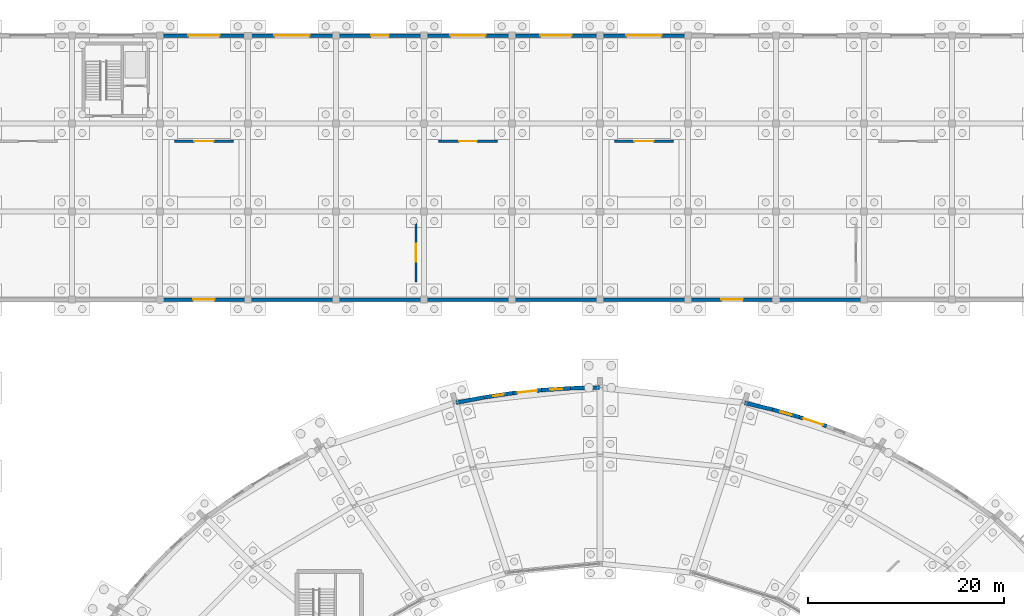
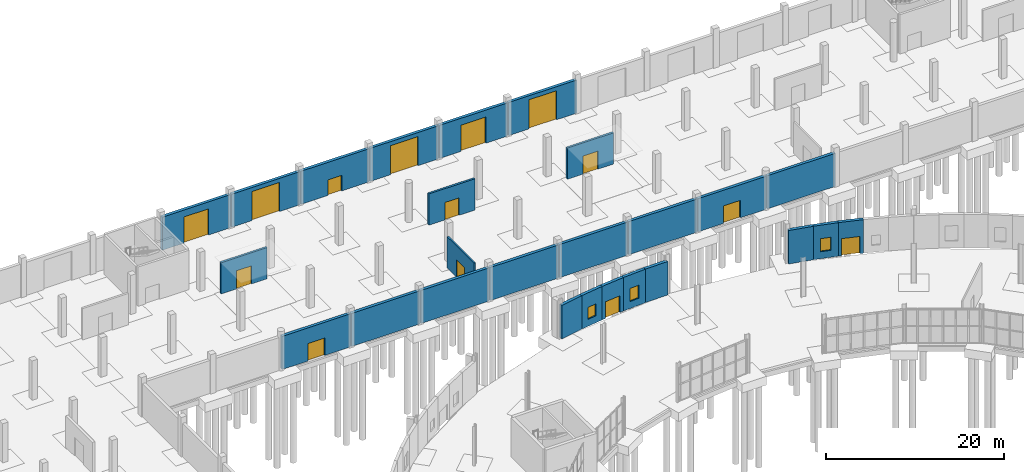
# One storey, part 98 of 118: 26 walls, 14 doors, 3 windows, 17 openings.
"""IFC4 building model written with IfcOpenShell, lengths in metres."""

from ifc_helpers import new_model, si_unit, direction, frame, frame_2d, origin, place, context, subcontext, project, spatial, rectangle, extrude, material, layer, layer_set, type_object, element, fill, save


model = new_model("IFC4")

# Units and contexts
model_context = context("Model", 3, precision=1e-05, world=origin(), true_north=direction((0.0, 1.0)))
body_context = subcontext(model_context, "Body", "Model", "MODEL_VIEW")
ifc_project = project(units=[si_unit("LENGTHUNIT", "METRE"), si_unit("AREAUNIT", "SQUARE_METRE"), si_unit("VOLUMEUNIT", "CUBIC_METRE"), si_unit("PLANEANGLEUNIT", "RADIAN"), si_unit("MASSUNIT", "GRAM", prefix="KILO")], contexts=[model_context])

# Site, building, storey
site_placement = place(None, origin())
site = spatial("IfcSite", under=ifc_project, at=site_placement, CompositionType="ELEMENT")
building_placement = place(site_placement, origin())
building = spatial("IfcBuilding", under=site, at=building_placement, Name="Kildeholm Park Wholesale Market", CompositionType="ELEMENT")
storey_placement = place(building_placement, origin())
storey = spatial("IfcBuildingStorey", under=building, at=storey_placement, Name="L00", CompositionType="ELEMENT", Elevation=0.0)

# Wall, opening, door
ifc_material_1 = material(Name="Precast concrete C40/50 insulated cold-store envelope wall", Category="concrete")
ifc_layer_1 = layer(ifc_material_1, 0.3798828125)
ifc_layer_set_1 = layer_set([ifc_layer_1], Name="Precast concrete C40/50 insulated cold-store envelope wall")
wall_type_1 = type_object("IfcWallType", Name="Exterior wall W-CS1 380 mm", PredefinedType="SOLIDWALL", material=ifc_layer_set_1)
wall_1_placement = place(storey_placement, frame((54.06005859375, 171.0, 0.0), z_axis=(0.0, 0.0, 1.0), x_axis=(1.0, 0.0, 0.0)))
wall_1 = element("IfcWall", 1, at=wall_1_placement, inside=storey, type_object=wall_type_1, Name="Exterior wall V4N-L00.7 WL-0323", PredefinedType="SOLIDWALL", context=body_context, shape_type="SweptSolid", body=[
    extrude(rectangle(XDim=8.8798828125, YDim=0.3798828125, at=frame_2d((4.43994140625, 0.0))), origin(), (0.0, 0.0, 1.0), 4.550048828125),
])
opening_1_placement = place(wall_1_placement, frame((2.840087890625, 0.0, 0.0)))
opening_1 = element("IfcOpeningElement", 2, at=opening_1_placement, cuts=wall_1, Name="Opening G-DK04", PredefinedType="OPENING", context=body_context, shape_type="SweptSolid", body=[
    extrude(rectangle(XDim=3.199951171875, YDim=3.60009765625, at=frame_2d((1.60009765625, 1.800048828125))), frame((0.0, 0.199951171875, 0.0), z_axis=(0.0, -1.0, 0.0), x_axis=(1.0, 0.0, 0.0)), (0.0, 0.0, 1.0), 0.39990234375),
])
ifc_material_2 = material(Name="Insulated galvanized steel cold-bay shutter", Category="steel")
door_type_1 = type_object("IfcDoorType", Name="Exterior gate G-DK04 3200x3600", OperationType="NOTDEFINED", PredefinedType="GATE", material=ifc_material_2)
door_1_placement = place(opening_1_placement, origin())
door_1 = element("IfcDoor", 3, at=door_1_placement, inside=storey, type_object=door_type_1, Name="Door V4N-L00.7 DR-0022 WL-0323", OperationType="ROLLINGUP", OverallHeight=3.60009765625, OverallWidth=3.199951171875, PredefinedType="GATE", context=body_context, shape_type="SweptSolid", body=[
    extrude(rectangle(XDim=3.199951171875, YDim=3.60009765625, at=frame_2d((1.60009765625, 1.800048828125))), frame((0.0, 0.02490234375, 0.0), z_axis=(0.0, -1.0, 0.0), x_axis=(1.0, 0.0, 0.0)), (0.0, 0.0, 1.0), 0.050048828125),
])
fill(opening_1, door_1)

wall_2_placement = place(storey_placement, frame((63.06005859375, 171.0, 0.0), z_axis=(0.0, 0.0, 1.0), x_axis=(1.0, 0.0, 0.0)))
wall_2 = element("IfcWall", 4, at=wall_2_placement, inside=storey, type_object=wall_type_1, Name="Exterior wall V4N-L00.8 WL-0324", PredefinedType="SOLIDWALL", context=body_context, shape_type="SweptSolid", body=[
    extrude(rectangle(XDim=8.8798828125, YDim=0.3798828125, at=frame_2d((4.43994140625, 0.0))), origin(), (0.0, 0.0, 1.0), 4.550048828125),
])
opening_2_placement = place(wall_2_placement, frame((2.639892578125, 0.0, 0.0)))
opening_2 = element("IfcOpeningElement", 5, at=opening_2_placement, cuts=wall_2, Name="Opening G-DK02", PredefinedType="OPENING", context=body_context, shape_type="SweptSolid", body=[
    extrude(rectangle(XDim=3.60009765625, YDim=4.0, at=frame_2d((1.800048828125, 2.0))), frame((0.0, 0.199951171875, 0.0), z_axis=(0.0, -1.0, 0.0), x_axis=(1.0, 0.0, 0.0)), (0.0, 0.0, 1.0), 0.39990234375),
])
ifc_material_3 = material(Name="Insulated galvanized steel HGV dock roller shutter", Category="steel")
door_type_2 = type_object("IfcDoorType", Name="Exterior gate G-DK02 3600x4000", OperationType="NOTDEFINED", PredefinedType="GATE", material=ifc_material_3)
door_2_placement = place(opening_2_placement, origin())
door_2 = element("IfcDoor", 6, at=door_2_placement, inside=storey, type_object=door_type_2, Name="Door V4N-L00.8 DR-0023 WL-0324", OperationType="ROLLINGUP", OverallHeight=4.0, OverallWidth=3.60009765625, PredefinedType="GATE", context=body_context, shape_type="SweptSolid", body=[
    extrude(rectangle(XDim=3.60009765625, YDim=4.0, at=frame_2d((1.800048828125, 2.0))), frame((0.0, 0.02490234375, 0.0), z_axis=(0.0, -1.0, 0.0), x_axis=(1.0, 0.0, 0.0)), (0.0, 0.0, 1.0), 0.050048828125),
])
fill(opening_2, door_2)

wall_3_placement = place(storey_placement, frame((72.06005859375, 171.0, 0.0), z_axis=(0.0, 0.0, 1.0), x_axis=(1.0, 0.0, 0.0)))
wall_3 = element("IfcWall", 7, at=wall_3_placement, inside=storey, type_object=wall_type_1, Name="Exterior wall V4N-L00.9 WL-0325", PredefinedType="SOLIDWALL", context=body_context, shape_type="SweptSolid", body=[
    extrude(rectangle(XDim=8.8798828125, YDim=0.3798828125, at=frame_2d((4.43994140625, 0.0))), origin(), (0.0, 0.0, 1.0), 4.550048828125),
])
opening_3_placement = place(wall_3_placement, frame((3.5400390625, 0.0, 0.0)))
opening_3 = element("IfcOpeningElement", 8, at=opening_3_placement, cuts=wall_3, Name="Opening D-EX05", PredefinedType="OPENING", context=body_context, shape_type="SweptSolid", body=[
    extrude(rectangle(XDim=1.800048828125, YDim=2.14990234375, at=frame_2d((0.89990234375, 1.074951171875))), frame((0.0, 0.199951171875, 0.0), z_axis=(0.0, -1.0, 0.0), x_axis=(1.0, 0.0, 0.0)), (0.0, 0.0, 1.0), 0.39990234375),
])
ifc_material_4 = material(Name="Painted galvanized steel escape doorset", Category="steel")
door_type_3 = type_object("IfcDoorType", Name="Exterior door D-EX05 1800x2150", OperationType="NOTDEFINED", PredefinedType="DOOR", material=ifc_material_4)
door_3_placement = place(opening_3_placement, origin())
door_3 = element("IfcDoor", 9, at=door_3_placement, inside=storey, type_object=door_type_3, Name="Door V4N-L00.9 DR-0024 WL-0325", OperationType="DOUBLE_DOOR_SINGLE_SWING", OverallHeight=2.14990234375, OverallWidth=1.800048828125, PredefinedType="DOOR", context=body_context, shape_type="SweptSolid", body=[
    extrude(rectangle(XDim=1.800048828125, YDim=2.14990234375, at=frame_2d((0.89990234375, 1.074951171875))), frame((0.0, 0.02490234375, 0.0), z_axis=(0.0, -1.0, 0.0), x_axis=(1.0, 0.0, 0.0)), (0.0, 0.0, 1.0), 0.050048828125),
])
fill(opening_3, door_3)

wall_4_placement = place(storey_placement, frame((81.06005859375, 171.0, 0.0), z_axis=(0.0, 0.0, 1.0), x_axis=(1.0, 0.0, 0.0)))
wall_4 = element("IfcWall", 10, at=wall_4_placement, inside=storey, type_object=wall_type_1, Name="Exterior wall V4N-L00.10 WL-0326", PredefinedType="SOLIDWALL", context=body_context, shape_type="SweptSolid", body=[
    extrude(rectangle(XDim=8.8798828125, YDim=0.3798828125, at=frame_2d((4.43994140625, 0.0))), origin(), (0.0, 0.0, 1.0), 4.550048828125),
])
opening_4_placement = place(wall_4_placement, frame((2.639892578125, 0.0, 0.0)))
opening_4 = element("IfcOpeningElement", 11, at=opening_4_placement, cuts=wall_4, Name="Opening G-DK02", PredefinedType="OPENING", context=body_context, shape_type="SweptSolid", body=[
    extrude(rectangle(XDim=3.60009765625, YDim=4.0, at=frame_2d((1.800048828125, 2.0))), frame((0.0, 0.199951171875, 0.0), z_axis=(0.0, -1.0, 0.0), x_axis=(1.0, 0.0, 0.0)), (0.0, 0.0, 1.0), 0.39990234375),
])
door_4_placement = place(opening_4_placement, origin())
door_4 = element("IfcDoor", 12, at=door_4_placement, inside=storey, type_object=door_type_2, Name="Door V4N-L00.10 DR-0025 WL-0326", OperationType="ROLLINGUP", OverallHeight=4.0, OverallWidth=3.60009765625, PredefinedType="GATE", context=body_context, shape_type="SweptSolid", body=[
    extrude(rectangle(XDim=3.60009765625, YDim=4.0, at=frame_2d((1.800048828125, 2.0))), frame((0.0, 0.02490234375, 0.0), z_axis=(0.0, -1.0, 0.0), x_axis=(1.0, 0.0, 0.0)), (0.0, 0.0, 1.0), 0.050048828125),
])
fill(opening_4, door_4)

wall_5_placement = place(storey_placement, frame((90.06005859375, 171.0, 0.0), z_axis=(0.0, 0.0, 1.0), x_axis=(1.0, 0.0, 0.0)))
wall_5 = element("IfcWall", 13, at=wall_5_placement, inside=storey, type_object=wall_type_1, Name="Exterior wall V4N-L00.11 WL-0327", PredefinedType="SOLIDWALL", context=body_context, shape_type="SweptSolid", body=[
    extrude(rectangle(XDim=8.8798828125, YDim=0.3798828125, at=frame_2d((4.43994140625, 0.0))), origin(), (0.0, 0.0, 1.0), 4.550048828125),
])
opening_5_placement = place(wall_5_placement, frame((2.840087890625, 0.0, 0.0)))
opening_5 = element("IfcOpeningElement", 14, at=opening_5_placement, cuts=wall_5, Name="Opening G-DK04", PredefinedType="OPENING", context=body_context, shape_type="SweptSolid", body=[
    extrude(rectangle(XDim=3.199951171875, YDim=3.60009765625, at=frame_2d((1.60009765625, 1.800048828125))), frame((0.0, 0.199951171875, 0.0), z_axis=(0.0, -1.0, 0.0), x_axis=(1.0, 0.0, 0.0)), (0.0, 0.0, 1.0), 0.39990234375),
])
door_5_placement = place(opening_5_placement, origin())
door_5 = element("IfcDoor", 15, at=door_5_placement, inside=storey, type_object=door_type_1, Name="Door V4N-L00.11 DR-0026 WL-0327", OperationType="ROLLINGUP", OverallHeight=3.60009765625, OverallWidth=3.199951171875, PredefinedType="GATE", context=body_context, shape_type="SweptSolid", body=[
    extrude(rectangle(XDim=3.199951171875, YDim=3.60009765625, at=frame_2d((1.60009765625, 1.800048828125))), frame((0.0, 0.02490234375, 0.0), z_axis=(0.0, -1.0, 0.0), x_axis=(1.0, 0.0, 0.0)), (0.0, 0.0, 1.0), 0.050048828125),
])
fill(opening_5, door_5)

wall_6_placement = place(storey_placement, frame((99.06005859375, 171.0, 0.0), z_axis=(0.0, 0.0, 1.0), x_axis=(1.0, 0.0, 0.0)))
wall_6 = element("IfcWall", 16, at=wall_6_placement, inside=storey, type_object=wall_type_1, Name="Exterior wall V4N-L00.12 WL-0328", PredefinedType="SOLIDWALL", context=body_context, shape_type="SweptSolid", body=[
    extrude(rectangle(XDim=8.8798828125, YDim=0.3798828125, at=frame_2d((4.43994140625, 0.0))), origin(), (0.0, 0.0, 1.0), 4.550048828125),
])
opening_6_placement = place(wall_6_placement, frame((2.639892578125, 0.0, 0.0)))
opening_6 = element("IfcOpeningElement", 17, at=opening_6_placement, cuts=wall_6, Name="Opening G-DK02", PredefinedType="OPENING", context=body_context, shape_type="SweptSolid", body=[
    extrude(rectangle(XDim=3.60009765625, YDim=4.0, at=frame_2d((1.800048828125, 2.0))), frame((0.0, 0.199951171875, 0.0), z_axis=(0.0, -1.0, 0.0), x_axis=(1.0, 0.0, 0.0)), (0.0, 0.0, 1.0), 0.39990234375),
])
door_6_placement = place(opening_6_placement, origin())
door_6 = element("IfcDoor", 18, at=door_6_placement, inside=storey, type_object=door_type_2, Name="Door V4N-L00.12 DR-0027 WL-0328", OperationType="ROLLINGUP", OverallHeight=4.0, OverallWidth=3.60009765625, PredefinedType="GATE", context=body_context, shape_type="SweptSolid", body=[
    extrude(rectangle(XDim=3.60009765625, YDim=4.0, at=frame_2d((1.800048828125, 2.0))), frame((0.0, 0.02490234375, 0.0), z_axis=(0.0, -1.0, 0.0), x_axis=(1.0, 0.0, 0.0)), (0.0, 0.0, 1.0), 0.050048828125),
])
fill(opening_6, door_6)

wall_7_placement = place(storey_placement, frame((54.06005859375, 144.0, 0.0), z_axis=(0.0, 0.0, 1.0), x_axis=(1.0, 0.0, 0.0)))
wall_7 = element("IfcWall", 19, at=wall_7_placement, inside=storey, type_object=wall_type_1, Name="Exterior wall V4S-L00.3 WL-0439", PredefinedType="SOLIDWALL", context=body_context, shape_type="SweptSolid", body=[
    extrude(rectangle(XDim=8.8798828125, YDim=0.3798828125, at=frame_2d((4.43994140625, 0.0))), origin(), (0.0, 0.0, 1.0), 4.550048828125),
])
opening_7_placement = place(wall_7_placement, frame((3.340087890625, 0.0, 0.0)))
opening_7 = element("IfcOpeningElement", 20, at=opening_7_placement, cuts=wall_7, Name="Opening D-EX03", PredefinedType="OPENING", context=body_context, shape_type="SweptSolid", body=[
    extrude(rectangle(XDim=2.199951171875, YDim=2.39990234375, at=frame_2d((1.10009765625, 1.199951171875))), frame((0.0, 0.199951171875, 0.0), z_axis=(0.0, -1.0, 0.0), x_axis=(1.0, 0.0, 0.0)), (0.0, 0.0, 1.0), 0.39990234375),
])
ifc_material_5 = material(Name="Anodised aluminium and safety glass", Category="aluminium")
door_type_4 = type_object("IfcDoorType", Name="Exterior door D-EX03 2200x2400", OperationType="NOTDEFINED", PredefinedType="DOOR", material=ifc_material_5)
door_7_placement = place(opening_7_placement, frame((2.199951171875, 0.0, 0.0), z_axis=(0.0, 0.0, 1.0), x_axis=(-1.0, 0.0, 0.0)))
door_7 = element("IfcDoor", 21, at=door_7_placement, inside=storey, type_object=door_type_4, Name="Door V4S-L00.3 DR-0041 WL-0439", OperationType="DOUBLE_DOOR_SINGLE_SWING", OverallHeight=2.39990234375, OverallWidth=2.199951171875, PredefinedType="DOOR", context=body_context, shape_type="SweptSolid", body=[
    extrude(rectangle(XDim=2.199951171875, YDim=2.39990234375, at=frame_2d((1.10009765625, 1.199951171875))), frame((0.0, 0.02490234375, 0.0), z_axis=(0.0, -1.0, 0.0), x_axis=(1.0, 0.0, 0.0)), (0.0, 0.0, 1.0), 0.050048828125),
])
fill(opening_7, door_7)

# Walls
for number, where, z_axis, x_axis, name in (
    (22, (63.06005859375, 144.0, 0.0), (0.0, 0.0, 1.0), (1.0, 0.0, 0.0), "Exterior wall V4S-L00.4 WL-0440"),
    (23, (72.06005859375, 144.0, 0.0), (0.0, 0.0, 1.0), (1.0, 0.0, 0.0), "Exterior wall V4S-L00.5 WL-0441"),
    (24, (81.06005859375, 144.0, 0.0), (0.0, 0.0, 1.0), (1.0, 0.0, 0.0), "Exterior wall V4S-L00.6 WL-0442"),
    (25, (90.06005859375, 144.0, 0.0), (0.0, 0.0, 1.0), (1.0, 0.0, 0.0), "Exterior wall V4S-L00.7 WL-0443"),
    (26, (99.06005859375, 144.0, 0.0), (0.0, 0.0, 1.0), (1.0, 0.0, 0.0), "Exterior wall V4S-L00.8 WL-0444"),
):
    element("IfcWall", number, at=place(storey_placement, frame(where, z_axis=z_axis, x_axis=x_axis)), inside=storey, type_object=wall_type_1, Name=name, PredefinedType="SOLIDWALL", context=body_context, shape_type="SweptSolid", body=[
        extrude(rectangle(XDim=8.8798828125, YDim=0.3798828125, at=frame_2d((4.43994140625, 0.0))), origin(), (0.0, 0.0, 1.0), 4.550048828125),
    ])

# Wall, opening, door
wall_8_placement = place(storey_placement, frame((108.06005859375, 144.0, 0.0), z_axis=(0.0, 0.0, 1.0), x_axis=(1.0, 0.0, 0.0)))
wall_8 = element("IfcWall", 27, at=wall_8_placement, inside=storey, type_object=wall_type_1, Name="Exterior wall V4S-L00.9 WL-0445", PredefinedType="SOLIDWALL", context=body_context, shape_type="SweptSolid", body=[
    extrude(rectangle(XDim=8.8798828125, YDim=0.3798828125, at=frame_2d((4.43994140625, 0.0))), origin(), (0.0, 0.0, 1.0), 4.550048828125),
])
opening_8_placement = place(wall_8_placement, frame((3.340087890625, 0.0, 0.0)))
opening_8 = element("IfcOpeningElement", 28, at=opening_8_placement, cuts=wall_8, Name="Opening D-EX03", PredefinedType="OPENING", context=body_context, shape_type="SweptSolid", body=[
    extrude(rectangle(XDim=2.199951171875, YDim=2.39990234375, at=frame_2d((1.10009765625, 1.199951171875))), frame((0.0, 0.199951171875, 0.0), z_axis=(0.0, -1.0, 0.0), x_axis=(1.0, 0.0, 0.0)), (0.0, 0.0, 1.0), 0.39990234375),
])
door_8_placement = place(opening_8_placement, frame((2.199951171875, 0.0, 0.0), z_axis=(0.0, 0.0, 1.0), x_axis=(-1.0, 0.0, 0.0)))
door_8 = element("IfcDoor", 29, at=door_8_placement, inside=storey, type_object=door_type_4, Name="Door V4S-L00.9 DR-0042 WL-0445", OperationType="DOUBLE_DOOR_SINGLE_SWING", OverallHeight=2.39990234375, OverallWidth=2.199951171875, PredefinedType="DOOR", context=body_context, shape_type="SweptSolid", body=[
    extrude(rectangle(XDim=2.199951171875, YDim=2.39990234375, at=frame_2d((1.10009765625, 1.199951171875))), frame((0.0, 0.02490234375, 0.0), z_axis=(0.0, -1.0, 0.0), x_axis=(1.0, 0.0, 0.0)), (0.0, 0.0, 1.0), 0.050048828125),
])
fill(opening_8, door_8)

# Walls
wall_9_placement = place(storey_placement, frame((117.06005859375, 144.0, 0.0), z_axis=(0.0, 0.0, 1.0), x_axis=(1.0, 0.0, 0.0)))
element("IfcWall", 30, at=wall_9_placement, inside=storey, type_object=wall_type_1, Name="Exterior wall V4S-L00.10 WL-0446", PredefinedType="SOLIDWALL", context=body_context, shape_type="SweptSolid", body=[
    extrude(rectangle(XDim=8.8798828125, YDim=0.3798828125, at=frame_2d((4.43994140625, 0.0))), origin(), (0.0, 0.0, 1.0), 4.550048828125),
])
ifc_material_6 = material(Name="Bornholm granite stone plinth and Concrete C35/45 wall", Category="masonry")
ifc_layer_2 = layer(ifc_material_6, 0.39990234375)
ifc_layer_set_2 = layer_set([ifc_layer_2], Name="Bornholm granite stone plinth and Concrete C35/45 wall")
wall_type_2 = type_object("IfcWallType", Name="Exterior wall W-EX2 400 mm", PredefinedType="SOLIDWALL", material=ifc_layer_set_2)
wall_10_placement = place(storey_placement, frame((116.636962890625, 132.76708984375, 0.0), z_axis=(0.0, 0.0, 1.0), x_axis=(-0.973061058114, 0.230547559481, 0.0)))
element("IfcWall", 31, at=wall_10_placement, inside=storey, type_object=wall_type_2, Name="Produce ring outer wall 5.5 WL-0041", PredefinedType="SOLIDWALL", context=body_context, shape_type="SweptSolid", body=[
    extrude(rectangle(XDim=2.922607421875, YDim=0.39990234375, at=frame_2d((1.46142578125, 0.0))), origin(), (0.0, 0.0, 1.0), 4.60009765625),
])
wall_11_placement = place(storey_placement, frame((98.9599609375, 135.0, 0.0), z_axis=(0.0, 0.0, 1.0), x_axis=(-0.999774733997, -0.021224543847, 0.0)))
element("IfcWall", 32, at=wall_11_placement, inside=storey, type_object=wall_type_2, Name="Produce ring outer wall 7.1 WL-0050", PredefinedType="SOLIDWALL", context=body_context, shape_type="SweptSolid", body=[
    extrude(rectangle(XDim=2.9677734375, YDim=0.39990234375, at=frame_2d((1.48388671875, 0.0))), origin(), (0.0, 0.0, 1.0), 4.60009765625),
])
wall_12_placement = place(storey_placement, frame((87.173095703125, 134.010009765625, 0.0), z_axis=(0.0, 0.0, 1.0), x_axis=(-0.982209662349, -0.187787590612, 0.0)))
element("IfcWall", 33, at=wall_12_placement, inside=storey, type_object=wall_type_2, Name="Produce ring outer wall 7.5 WL-0054", PredefinedType="SOLIDWALL", context=body_context, shape_type="SweptSolid", body=[
    extrude(rectangle(XDim=2.939453125, YDim=0.39990234375, at=frame_2d((1.4697265625, 0.0))), origin(), (0.0, 0.0, 1.0), 4.60009765625),
])

# Wall, opening, door
ifc_material_7 = material(Name="Bornholm granite and ceramic-banded hall facade wall", Category="masonry")
ifc_layer_3 = layer(ifc_material_7, 0.389892578125)
ifc_layer_set_3 = layer_set([ifc_layer_3], Name="Bornholm granite and ceramic-banded hall facade wall")
wall_type_3 = type_object("IfcWallType", Name="Exterior wall W-EX5 390 mm", PredefinedType="SOLIDWALL", material=ifc_layer_set_3)
wall_13_placement = place(storey_placement, frame((122.176025390625, 131.069091796875, 0.0), z_axis=(0.0, 0.0, 1.0), x_axis=(-0.949374423455, 0.314146787489, 0.0)))
wall_13 = element("IfcWall", 34, at=wall_13_placement, inside=storey, type_object=wall_type_3, Name="Produce ring outer wall 5.3 WL-0039", PredefinedType="SOLIDWALL", context=body_context, shape_type="SweptSolid", body=[
    extrude(rectangle(XDim=2.88720703125, YDim=0.389892578125, at=frame_2d((1.443603515625, 0.0))), origin(), (0.0, 0.0, 1.0), 4.60009765625),
])
opening_9_placement = place(wall_13_placement, frame((0.39404296875, 0.0, 0.0)))
opening_9 = element("IfcOpeningElement", 35, at=opening_9_placement, cuts=wall_13, Name="Opening D-EX10", PredefinedType="OPENING", context=body_context, shape_type="SweptSolid", body=[
    extrude(rectangle(XDim=2.10009765625, YDim=2.35009765625, at=frame_2d((1.050048828125, 1.175048828125))), frame((0.0, 0.204833984375, 0.0), z_axis=(0.0, -1.0, 0.0), x_axis=(1.0, 0.0, 0.0)), (0.0, 0.0, 1.0), 0.409912109375),
])
ifc_material_8 = material(Name="Anodised aluminium park colonnade door", Category="aluminium")
door_type_5 = type_object("IfcDoorType", Name="Exterior door D-EX10 2100x2350", OperationType="NOTDEFINED", PredefinedType="DOOR", material=ifc_material_8)
door_9_placement = place(opening_9_placement, frame((2.10009765625, 0.0, 0.0), z_axis=(0.0, 0.0, 1.0), x_axis=(-1.0, 0.0, 0.0)))
door_9 = element("IfcDoor", 36, at=door_9_placement, inside=storey, type_object=door_type_5, Name="Produce hall public exit 5 DR-0002 WL-0039", OperationType="DOUBLE_DOOR_SINGLE_SWING", OverallHeight=2.35009765625, OverallWidth=2.10009765625, PredefinedType="DOOR", context=body_context, shape_type="SweptSolid", body=[
    extrude(rectangle(XDim=2.10009765625, YDim=2.35009765625, at=frame_2d((1.050048828125, 1.175048828125))), frame((0.0, 0.02490234375, 0.0), z_axis=(0.0, -1.0, 0.0), x_axis=(1.0, 0.0, 0.0)), (0.0, 0.0, 1.0), 0.050048828125),
])
fill(opening_9, door_9)

# Wall, opening, window
wall_14_placement = place(storey_placement, frame((119.43505859375, 131.97607421875, 0.0), z_axis=(0.0, 0.0, 1.0), x_axis=(-0.962286948756, 0.272036446555, 0.0)))
wall_14 = element("IfcWall", 37, at=wall_14_placement, inside=storey, type_object=wall_type_3, Name="Produce ring outer wall 5.4 WL-0040", PredefinedType="SOLIDWALL", context=body_context, shape_type="SweptSolid", body=[
    extrude(rectangle(XDim=2.90771484375, YDim=0.389892578125, at=frame_2d((1.453857421875, 0.0))), origin(), (0.0, 0.0, 1.0), 4.60009765625),
])
opening_10_placement = place(wall_14_placement, frame((0.85400390625, 0.0, 0.949951171875)))
opening_10 = element("IfcOpeningElement", 38, at=opening_10_placement, cuts=wall_14, Name="Opening WN-05", PredefinedType="OPENING", context=body_context, shape_type="SweptSolid", body=[
    extrude(rectangle(XDim=1.199951171875, YDim=1.800048828125, at=frame_2d((0.60009765625, 0.89990234375))), frame((0.0, 0.204833984375, 0.0), z_axis=(0.0, -1.0, 0.0), x_axis=(1.0, 0.0, 0.0)), (0.0, 0.0, 1.0), 0.409912109375),
])
ifc_material_9 = material(Name="Thermally broken aluminium and triple-glazed low-E glass", Category="aluminium")
window_type_1 = type_object("IfcWindowType", Name="Window WN-05 1200x1800", PartitioningType="SINGLE_PANEL", PredefinedType="WINDOW", material=ifc_material_9)
window_1_placement = place(opening_10_placement, origin())
window_1 = element("IfcWindow", 39, at=window_1_placement, inside=storey, type_object=window_type_1, Name="Produce hall arcade window 5.3 WIN-0010", OverallHeight=1.800048828125, OverallWidth=1.199951171875, PartitioningType="SINGLE_PANEL", PredefinedType="WINDOW", context=body_context, shape_type="SweptSolid", body=[
    extrude(rectangle(XDim=1.199951171875, YDim=1.800048828125, at=frame_2d((0.60009765625, 0.89990234375))), frame((0.0, 0.030029296875, 0.0), z_axis=(0.0, -1.0, 0.0), x_axis=(1.0, 0.0, 0.0)), (0.0, 0.0, 1.0), 0.06005859375),
])
fill(opening_10, window_1)

wall_15_placement = place(storey_placement, frame((95.992919921875, 134.93701171875, 0.0), z_axis=(0.0, 0.0, 1.0), x_axis=(-0.998008759952, -0.063075471132, 0.0)))
wall_15 = element("IfcWall", 40, at=wall_15_placement, inside=storey, type_object=wall_type_3, Name="Produce ring outer wall 7.2 WL-0051", PredefinedType="SOLIDWALL", context=body_context, shape_type="SweptSolid", body=[
    extrude(rectangle(XDim=2.96484375, YDim=0.389892578125, at=frame_2d((1.482421875, 0.0))), origin(), (0.0, 0.0, 1.0), 4.60009765625),
])
opening_11_placement = place(wall_15_placement, frame((0.882080078125, 0.0, 0.949951171875)))
opening_11 = element("IfcOpeningElement", 41, at=opening_11_placement, cuts=wall_15, Name="Opening WN-05", PredefinedType="OPENING", context=body_context, shape_type="SweptSolid", body=[
    extrude(rectangle(XDim=1.199951171875, YDim=1.800048828125, at=frame_2d((0.60009765625, 0.89990234375))), frame((0.0, 0.204833984375, 0.0), z_axis=(0.0, -1.0, 0.0), x_axis=(1.0, 0.0, 0.0)), (0.0, 0.0, 1.0), 0.409912109375),
])
window_2_placement = place(opening_11_placement, origin())
window_2 = element("IfcWindow", 42, at=window_2_placement, inside=storey, type_object=window_type_1, Name="Produce hall arcade window 7.1 WIN-0011", OverallHeight=1.800048828125, OverallWidth=1.199951171875, PartitioningType="SINGLE_PANEL", PredefinedType="WINDOW", context=body_context, shape_type="SweptSolid", body=[
    extrude(rectangle(XDim=1.199951171875, YDim=1.800048828125, at=frame_2d((0.60009765625, 0.89990234375))), frame((0.0, 0.030029296875, 0.0), z_axis=(0.0, -1.0, 0.0), x_axis=(1.0, 0.0, 0.0)), (0.0, 0.0, 1.0), 0.06005859375),
])
fill(opening_11, window_2)

# Wall, opening, door
wall_16_placement = place(storey_placement, frame((93.033935546875, 134.75, 0.0), z_axis=(0.0, 0.0, 1.0), x_axis=(-0.994529838675, -0.10445286011, 0.0)))
wall_16 = element("IfcWall", 43, at=wall_16_placement, inside=storey, type_object=wall_type_3, Name="Produce ring outer wall 7.3 WL-0052", PredefinedType="SOLIDWALL", context=body_context, shape_type="SweptSolid", body=[
    extrude(rectangle(XDim=2.958984375, YDim=0.389892578125, at=frame_2d((1.4794921875, 0.0))), origin(), (0.0, 0.0, 1.0), 4.60009765625),
])
opening_12_placement = place(wall_16_placement, frame((0.47998046875, 0.0, 0.0)))
opening_12 = element("IfcOpeningElement", 44, at=opening_12_placement, cuts=wall_16, Name="Opening D-EX02", PredefinedType="OPENING", context=body_context, shape_type="SweptSolid", body=[
    extrude(rectangle(XDim=2.0, YDim=2.300048828125, at=frame_2d((1.0, 1.14990234375))), frame((0.0, 0.204833984375, 0.0), z_axis=(0.0, -1.0, 0.0), x_axis=(1.0, 0.0, 0.0)), (0.0, 0.0, 1.0), 0.409912109375),
])
door_type_6 = type_object("IfcDoorType", Name="Exterior door D-EX02 2000x2300", OperationType="NOTDEFINED", PredefinedType="DOOR", material=ifc_material_5)
door_10_placement = place(opening_12_placement, frame((2.0, 0.0, 0.0), z_axis=(0.0, 0.0, 1.0), x_axis=(-1.0, 0.0, 0.0)))
door_10 = element("IfcDoor", 45, at=door_10_placement, inside=storey, type_object=door_type_6, Name="Produce hall public exit 7 DR-0003 WL-0052", OperationType="DOUBLE_DOOR_SINGLE_SWING", OverallHeight=2.300048828125, OverallWidth=2.0, PredefinedType="DOOR", context=body_context, shape_type="SweptSolid", body=[
    extrude(rectangle(XDim=2.0, YDim=2.300048828125, at=frame_2d((1.0, 1.14990234375))), frame((0.0, 0.02490234375, 0.0), z_axis=(0.0, -1.0, 0.0), x_axis=(1.0, 0.0, 0.0)), (0.0, 0.0, 1.0), 0.050048828125),
])
fill(opening_12, door_10)

# Wall, opening, window
wall_17_placement = place(storey_placement, frame((90.091064453125, 134.44091796875, 0.0), z_axis=(0.0, 0.0, 1.0), x_axis=(-0.98927134979, -0.146089686444, 0.0)))
wall_17 = element("IfcWall", 46, at=wall_17_placement, inside=storey, type_object=wall_type_3, Name="Produce ring outer wall 7.4 WL-0053", PredefinedType="SOLIDWALL", context=body_context, shape_type="SweptSolid", body=[
    extrude(rectangle(XDim=2.94970703125, YDim=0.389892578125, at=frame_2d((1.474853515625, 0.0))), origin(), (0.0, 0.0, 1.0), 4.60009765625),
])
opening_13_placement = place(wall_17_placement, frame((0.925048828125, 0.0, 0.949951171875)))
opening_13 = element("IfcOpeningElement", 47, at=opening_13_placement, cuts=wall_17, Name="Opening WN-19", PredefinedType="OPENING", context=body_context, shape_type="SweptSolid", body=[
    extrude(rectangle(XDim=1.10009765625, YDim=1.64990234375, at=frame_2d((0.550048828125, 0.824951171875))), frame((0.0, 0.204833984375, 0.0), z_axis=(0.0, -1.0, 0.0), x_axis=(1.0, 0.0, 0.0)), (0.0, 0.0, 1.0), 0.409912109375),
])
window_type_2 = type_object("IfcWindowType", Name="Window WN-19 1100x1650", PartitioningType="SINGLE_PANEL", PredefinedType="WINDOW", material=ifc_material_9)
window_3_placement = place(opening_13_placement, origin())
window_3 = element("IfcWindow", 48, at=window_3_placement, inside=storey, type_object=window_type_2, Name="Produce hall arcade window 7.3 WIN-0012", OverallHeight=1.64990234375, OverallWidth=1.10009765625, PartitioningType="SINGLE_PANEL", PredefinedType="WINDOW", context=body_context, shape_type="SweptSolid", body=[
    extrude(rectangle(XDim=1.10009765625, YDim=1.64990234375, at=frame_2d((0.550048828125, 0.824951171875))), frame((0.0, 0.030029296875, 0.0), z_axis=(0.0, -1.0, 0.0), x_axis=(1.0, 0.0, 0.0)), (0.0, 0.0, 1.0), 0.06005859375),
])
fill(opening_13, window_3)

# Wall, opening, door
ifc_material_10 = material(Name="High-insulation chiller compartment wall")
ifc_layer_4 = layer(ifc_material_10, 0.260009765625)
ifc_layer_set_4 = layer_set([ifc_layer_4], Name="High-insulation chiller compartment wall")
wall_type_4 = type_object("IfcWallType", Name="Partition W-PT10 260 mm", PredefinedType="PARTITIONING", material=ifc_layer_set_4)
wall_18_placement = place(storey_placement, frame((55.5, 160.199951171875, 0.0), z_axis=(0.0, 0.0, 1.0), x_axis=(1.0, 0.0, 0.0)))
wall_18 = element("IfcWall", 49, at=wall_18_placement, inside=storey, type_object=wall_type_4, Name="Interior partition W-V4-L00-CSN02 WL-0971", PredefinedType="PARTITIONING", context=body_context, shape_type="SweptSolid", body=[
    extrude(rectangle(XDim=6.0, YDim=0.260009765625, at=frame_2d((3.0, 0.0))), origin(), (0.0, 0.0, 1.0), 4.300048828125),
])
opening_14_placement = place(wall_18_placement, frame((2.02490234375, 0.0, 0.0)))
opening_14 = element("IfcOpeningElement", 50, at=opening_14_placement, cuts=wall_18, Name="Opening D-CS03", PredefinedType="OPENING", context=body_context, shape_type="SweptSolid", body=[
    extrude(rectangle(XDim=1.949951171875, YDim=2.5, at=frame_2d((0.97509765625, 1.25))), frame((0.0, 0.139892578125, 0.0), z_axis=(0.0, -1.0, 0.0), x_axis=(1.0, 0.0, 0.0)), (0.0, 0.0, 1.0), 0.280029296875),
])
ifc_material_11 = material(Name="Insulated stainless-steel dairy chiller sliding door", Category="steel")
door_type_7 = type_object("IfcDoorType", Name="Interior door D-CS03 1950x2500", OperationType="NOTDEFINED", PredefinedType="DOOR", material=ifc_material_11)
door_11_placement = place(opening_14_placement, origin())
door_11 = element("IfcDoor", 51, at=door_11_placement, inside=storey, type_object=door_type_7, Name="Interior door V4-L00-CSN02 DR-0246 WL-0971", OperationType="SLIDING_TO_RIGHT", OverallHeight=2.5, OverallWidth=1.949951171875, PredefinedType="DOOR", context=body_context, shape_type="SweptSolid", body=[
    extrude(rectangle(XDim=1.949951171875, YDim=2.5, at=frame_2d((0.97509765625, 1.25))), frame((0.0, 0.02490234375, 0.0), z_axis=(0.0, -1.0, 0.0), x_axis=(1.0, 0.0, 0.0)), (0.0, 0.0, 1.0), 0.050048828125),
])
fill(opening_14, door_11)

wall_19_placement = place(storey_placement, frame((82.5, 160.199951171875, 0.0), z_axis=(0.0, 0.0, 1.0), x_axis=(1.0, 0.0, 0.0)))
wall_19 = element("IfcWall", 52, at=wall_19_placement, inside=storey, type_object=wall_type_4, Name="Interior partition W-V4-L00-CSN03 WL-0972", PredefinedType="PARTITIONING", context=body_context, shape_type="SweptSolid", body=[
    extrude(rectangle(XDim=6.0, YDim=0.260009765625, at=frame_2d((3.0, 0.0))), origin(), (0.0, 0.0, 1.0), 4.300048828125),
])
opening_15_placement = place(wall_19_placement, frame((2.10009765625, 0.0, 0.0)))
opening_15 = element("IfcOpeningElement", 53, at=opening_15_placement, cuts=wall_19, Name="Opening D-CS01", PredefinedType="OPENING", context=body_context, shape_type="SweptSolid", body=[
    extrude(rectangle(XDim=1.800048828125, YDim=2.39990234375, at=frame_2d((0.89990234375, 1.199951171875))), frame((0.0, 0.139892578125, 0.0), z_axis=(0.0, -1.0, 0.0), x_axis=(1.0, 0.0, 0.0)), (0.0, 0.0, 1.0), 0.280029296875),
])
ifc_material_12 = material(Name="Insulated stainless-steel sliding cold-store door", Category="steel")
door_type_8 = type_object("IfcDoorType", Name="Interior door D-CS01 1800x2400", OperationType="NOTDEFINED", PredefinedType="DOOR", material=ifc_material_12)
door_12_placement = place(opening_15_placement, origin())
door_12 = element("IfcDoor", 54, at=door_12_placement, inside=storey, type_object=door_type_8, Name="Interior door V4-L00-CSN03 DR-0247 WL-0972", OperationType="SLIDING_TO_LEFT", OverallHeight=2.39990234375, OverallWidth=1.800048828125, PredefinedType="DOOR", context=body_context, shape_type="SweptSolid", body=[
    extrude(rectangle(XDim=1.800048828125, YDim=2.39990234375, at=frame_2d((0.89990234375, 1.199951171875))), frame((0.0, 0.02490234375, 0.0), z_axis=(0.0, -1.0, 0.0), x_axis=(1.0, 0.0, 0.0)), (0.0, 0.0, 1.0), 0.050048828125),
])
fill(opening_15, door_12)

wall_20_placement = place(storey_placement, frame((100.5, 160.199951171875, 0.0), z_axis=(0.0, 0.0, 1.0), x_axis=(1.0, 0.0, 0.0)))
wall_20 = element("IfcWall", 55, at=wall_20_placement, inside=storey, type_object=wall_type_4, Name="Interior partition W-V4-L00-CSN04 WL-0973", PredefinedType="PARTITIONING", context=body_context, shape_type="SweptSolid", body=[
    extrude(rectangle(XDim=6.0, YDim=0.260009765625, at=frame_2d((3.0, 0.0))), origin(), (0.0, 0.0, 1.0), 4.300048828125),
])
opening_16_placement = place(wall_20_placement, frame((2.02490234375, 0.0, 0.0)))
opening_16 = element("IfcOpeningElement", 56, at=opening_16_placement, cuts=wall_20, Name="Opening D-CS03", PredefinedType="OPENING", context=body_context, shape_type="SweptSolid", body=[
    extrude(rectangle(XDim=1.949951171875, YDim=2.5, at=frame_2d((0.97509765625, 1.25))), frame((0.0, 0.139892578125, 0.0), z_axis=(0.0, -1.0, 0.0), x_axis=(1.0, 0.0, 0.0)), (0.0, 0.0, 1.0), 0.280029296875),
])
door_13_placement = place(opening_16_placement, origin())
door_13 = element("IfcDoor", 57, at=door_13_placement, inside=storey, type_object=door_type_7, Name="Interior door V4-L00-CSN04 DR-0248 WL-0973", OperationType="SLIDING_TO_RIGHT", OverallHeight=2.5, OverallWidth=1.949951171875, PredefinedType="DOOR", context=body_context, shape_type="SweptSolid", body=[
    extrude(rectangle(XDim=1.949951171875, YDim=2.5, at=frame_2d((0.97509765625, 1.25))), frame((0.0, 0.02490234375, 0.0), z_axis=(0.0, -1.0, 0.0), x_axis=(1.0, 0.0, 0.0)), (0.0, 0.0, 1.0), 0.050048828125),
])
fill(opening_16, door_13)

ifc_material_13 = material(Name="Masonry cold-corridor buffer wall", Category="masonry")
ifc_layer_5 = layer(ifc_material_13, 0.205078125)
ifc_layer_set_5 = layer_set([ifc_layer_5], Name="Masonry cold-corridor buffer wall")
wall_type_5 = type_object("IfcWallType", Name="Partition W-PT16 205 mm", PredefinedType="PARTITIONING", material=ifc_layer_set_5)
wall_21_placement = place(storey_placement, frame((80.199951171875, 145.800048828125, 0.0), z_axis=(0.0, 0.0, 1.0), x_axis=(0.0, 1.0, 0.0)))
wall_21 = element("IfcWall", 58, at=wall_21_placement, inside=storey, type_object=wall_type_5, Name="Interior partition W-V4-L00-CSD01 WL-0977", PredefinedType="PARTITIONING", context=body_context, shape_type="SweptSolid", body=[
    extrude(rectangle(XDim=6.0, YDim=0.205078125, at=frame_2d((3.0, 0.0))), origin(), (0.0, 0.0, 1.0), 4.300048828125),
])
opening_17_placement = place(wall_21_placement, frame((2.10009765625, 0.0, 0.0)))
opening_17 = element("IfcOpeningElement", 59, at=opening_17_placement, cuts=wall_21, Name="Opening D-CS01", PredefinedType="OPENING", context=body_context, shape_type="SweptSolid", body=[
    extrude(rectangle(XDim=1.800048828125, YDim=2.39990234375, at=frame_2d((0.89990234375, 1.199951171875))), frame((0.0, 0.112548828125, 0.0), z_axis=(0.0, -1.0, 0.0), x_axis=(1.0, 0.0, 0.0)), (0.0, 0.0, 1.0), 0.22509765625),
])
door_14_placement = place(opening_17_placement, origin())
door_14 = element("IfcDoor", 60, at=door_14_placement, inside=storey, type_object=door_type_8, Name="Interior door V4-L00-CSD01 DR-0252 WL-0977", OperationType="SLIDING_TO_RIGHT", OverallHeight=2.39990234375, OverallWidth=1.800048828125, PredefinedType="DOOR", context=body_context, shape_type="SweptSolid", body=[
    extrude(rectangle(XDim=1.800048828125, YDim=2.39990234375, at=frame_2d((0.89990234375, 1.199951171875))), frame((0.0, 0.02490234375, 0.0), z_axis=(0.0, -1.0, 0.0), x_axis=(1.0, 0.0, 0.0)), (0.0, 0.0, 1.0), 0.050048828125),
])
fill(opening_17, door_14)

save(model, "model.ifc")
